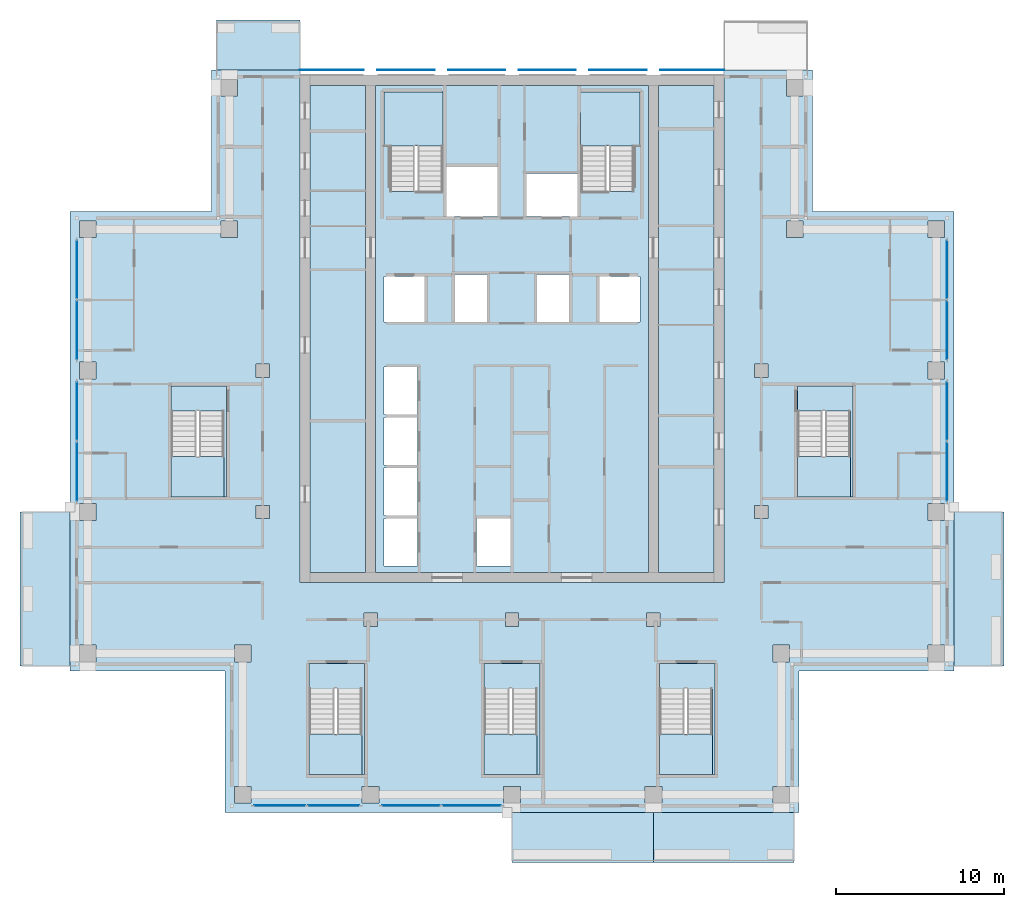
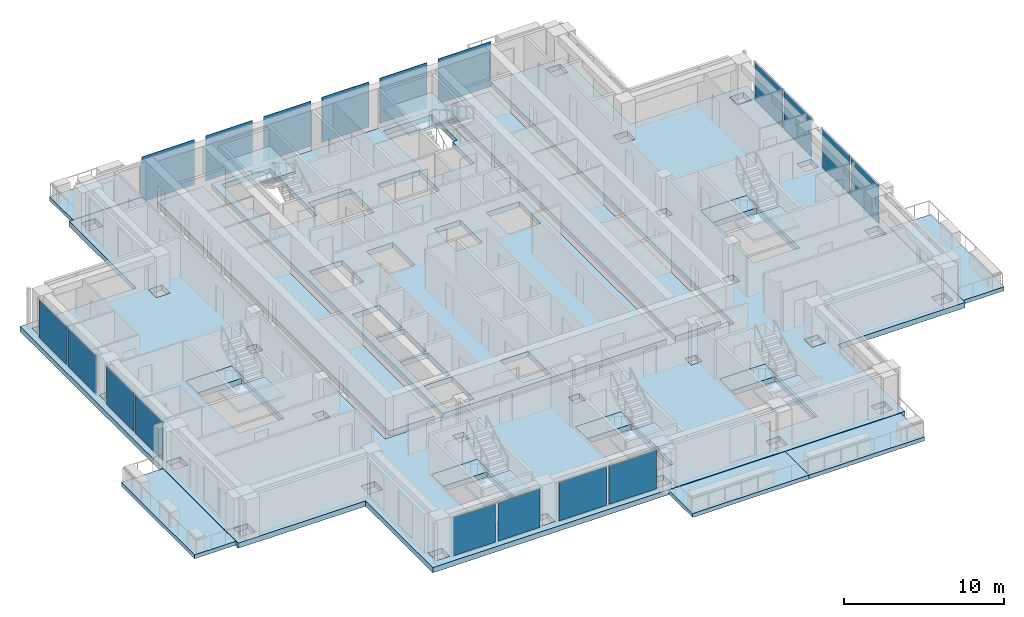
# One storey, part 7 of 17: 21 slabs, 18 plates, 13 elements without a shape of their own.
"""IFC4 building model written with IfcOpenShell, lengths in metres."""

from ifc_helpers import new_model, si_unit, direction, frame, origin, origin_2d, place, context, subcontext, project, spatial, polyline, rectangle, outline, extrude, material, layer, layer_set, type_object, element, aggregate, save


model = new_model("IFC4")

# Units and contexts
model_context = context("Model", 3, precision=1e-05, world=origin(), true_north=direction((0.0, 1.0)))
body_context = subcontext(model_context, "Body", "Model", "MODEL_VIEW")
ifc_project = project(units=[si_unit("LENGTHUNIT", "METRE"), si_unit("AREAUNIT", "SQUARE_METRE"), si_unit("VOLUMEUNIT", "CUBIC_METRE"), si_unit("PLANEANGLEUNIT", "RADIAN"), si_unit("MASSUNIT", "GRAM", prefix="KILO")], contexts=[model_context])

# Site, building, storey
site_placement = place(None, origin())
site = spatial("IfcSite", under=ifc_project, at=site_placement, CompositionType="ELEMENT")
building_placement = place(site_placement, origin())
building = spatial("IfcBuilding", under=site, at=building_placement, Name="Vermilion Ogive Tower", CompositionType="ELEMENT")
storey_placement = place(building_placement, frame((0.0, 0.0, 189.35009765625)))
storey = spatial("IfcBuildingStorey", under=building, at=storey_placement, Name="L49", CompositionType="ELEMENT", Elevation=189.35009765625)

# Slabs
ifc_material_1 = material(Name="Concrete B40", Category="concrete")
ifc_layer_1 = layer(ifc_material_1, 0.300048828125)
ifc_layer_set_1 = layer_set([ifc_layer_1], Name="Balcony slab")
slab_type_1 = type_object("IfcSlabType", Name="Balcony slab", PredefinedType="FLOOR", material=ifc_layer_set_1)
slab_1_placement = place(storey_placement, frame((0.0, 0.0, -0.340087890625)))
element("IfcSlab", 1, at=slab_1_placement, inside=storey, type_object=slab_type_1, Name="Balcony slab S03", PredefinedType="FLOOR", context=body_context, shape_type="SweptSolid", body=[
    extrude(outline(polyline([(0.0, -25.030029296875), (8.39990234375, -25.030029296875), (8.39990234375, -22.050048828125), (0.0, -22.050048828125), (0.0, -25.030029296875)])), origin(), (0.0, 0.0, 1.0), 0.300048828125),
])
slab_2_placement = place(storey_placement, frame((0.0, 0.0, -0.340087890625)))
element("IfcSlab", 2, at=slab_2_placement, inside=storey, type_object=slab_type_1, Name="Balcony slab S04", PredefinedType="FLOOR", context=body_context, shape_type="SweptSolid", body=[
    extrude(outline(polyline([(8.39990234375, -25.030029296875), (16.75, -25.030029296875), (16.75, -22.050048828125), (8.39990234375, -22.050048828125), (8.39990234375, -25.030029296875)])), origin(), (0.0, 0.0, 1.0), 0.300048828125),
])
slab_3_placement = place(storey_placement, frame((0.0, 0.0, -0.340087890625)))
element("IfcSlab", 3, at=slab_3_placement, inside=storey, type_object=slab_type_1, Name="Balcony slab E01", PredefinedType="FLOOR", context=body_context, shape_type="SweptSolid", body=[
    extrude(outline(polyline([(29.22998046875, -13.35009765625), (29.22998046875, -4.199951171875), (26.25, -4.199951171875), (26.25, -13.35009765625), (29.22998046875, -13.35009765625)])), origin(), (0.0, 0.0, 1.0), 0.300048828125),
])
slab_4_placement = place(storey_placement, frame((0.0, 0.0, -0.340087890625)))
element("IfcSlab", 4, at=slab_4_placement, inside=storey, type_object=slab_type_1, Name="Balcony slab N201", PredefinedType="FLOOR", context=body_context, shape_type="SweptSolid", body=[
    extrude(outline(polyline([(-12.60009765625, 25.030029296875), (-17.550048828125, 25.030029296875), (-17.550048828125, 22.050048828125), (-12.60009765625, 22.050048828125), (-12.60009765625, 25.030029296875)])), origin(), (0.0, 0.0, 1.0), 0.300048828125),
])
slab_5_placement = place(storey_placement, frame((0.0, 0.0, -0.340087890625)))
element("IfcSlab", 5, at=slab_5_placement, inside=storey, type_object=slab_type_1, Name="Balcony slab W03", PredefinedType="FLOOR", context=body_context, shape_type="SweptSolid", body=[
    extrude(outline(polyline([(-29.22998046875, -4.199951171875), (-29.22998046875, -13.35009765625), (-26.25, -13.35009765625), (-26.25, -4.199951171875), (-29.22998046875, -4.199951171875)])), origin(), (0.0, 0.0, 1.0), 0.300048828125),
])

# Curtain wall, plates
ifc_material_2 = material(Name="Low-iron laminated glazing in aluminium frame", Category="aluminium")
curtain_wall_type = type_object("IfcCurtainWallType", Name="Curtain wall CW7", PredefinedType="NOTDEFINED", material=ifc_material_2)
curtain_wall_1_placement = place(storey_placement, origin())
curtain_wall_1 = element("IfcCurtainWall", 6, at=curtain_wall_1_placement, inside=storey, type_object=curtain_wall_type, Name="Glazed skin S1", PredefinedType="NOTDEFINED")
ifc_material_3 = material(Name="Low-iron laminated glazing in aluminium frame", Category="aluminium")
ifc_layer_2 = layer(ifc_material_3, 0.031982421875)
ifc_layer_set_2 = layer_set([ifc_layer_2], Name="CW7 glazing panel 32")
plate_type_1 = type_object("IfcPlateType", Name="CW7 glazing panel 32", PredefinedType="CURTAIN_PANEL", material=ifc_layer_set_2)
plate_1_placement = place(storey_placement, frame((-13.804931640625, -21.64990234375, 0.06005859375), z_axis=(0.0, 0.0, 1.0), x_axis=(1.0, 0.0, 0.0)))
plate_1 = element("IfcPlate", 7, at=plate_1_placement, type_object=plate_type_1, Name="CW7-S1 panel 1.1", PredefinedType="CURTAIN_PANEL", context=body_context, shape_type="SweptSolid", body=[
    extrude(rectangle(XDim=3.030029296875, YDim=0.031982421875, at=origin_2d()), origin(), (0.0, 0.0, 1.0), 2.929931640625),
])
plate_2_placement = place(storey_placement, frame((-10.594970703125, -21.64990234375, 0.06005859375), z_axis=(0.0, 0.0, 1.0), x_axis=(1.0, 0.0, 0.0)))
plate_2 = element("IfcPlate", 8, at=plate_2_placement, type_object=plate_type_1, Name="CW7-S1 panel 2.1", PredefinedType="CURTAIN_PANEL", context=body_context, shape_type="SweptSolid", body=[
    extrude(rectangle(XDim=3.030029296875, YDim=0.031982421875, at=origin_2d()), origin(), (0.0, 0.0, 1.0), 2.929931640625),
])
aggregate(curtain_wall_1, [plate_1, plate_2])

curtain_wall_2_placement = place(storey_placement, origin())
curtain_wall_2 = element("IfcCurtainWall", 9, at=curtain_wall_2_placement, inside=storey, type_object=curtain_wall_type, Name="Glazed skin S2", PredefinedType="NOTDEFINED")
plate_3_placement = place(storey_placement, frame((-6.0048828125, -21.64990234375, 0.06005859375), z_axis=(0.0, 0.0, 1.0), x_axis=(1.0, 0.0, 0.0)))
plate_3 = element("IfcPlate", 10, at=plate_3_placement, type_object=plate_type_1, Name="CW7-S2 panel 1.1", PredefinedType="CURTAIN_PANEL", context=body_context, shape_type="SweptSolid", body=[
    extrude(rectangle(XDim=3.429931640625, YDim=0.031982421875, at=origin_2d()), origin(), (0.0, 0.0, 1.0), 2.929931640625),
])
plate_4_placement = place(storey_placement, frame((-2.39501953125, -21.64990234375, 0.06005859375), z_axis=(0.0, 0.0, 1.0), x_axis=(1.0, 0.0, 0.0)))
plate_4 = element("IfcPlate", 11, at=plate_4_placement, type_object=plate_type_1, Name="CW7-S2 panel 2.1", PredefinedType="CURTAIN_PANEL", context=body_context, shape_type="SweptSolid", body=[
    extrude(rectangle(XDim=3.429931640625, YDim=0.031982421875, at=origin_2d()), origin(), (0.0, 0.0, 1.0), 2.929931640625),
])
aggregate(curtain_wall_2, [plate_3, plate_4])

curtain_wall_3_placement = place(storey_placement, origin())
curtain_wall_3 = element("IfcCurtainWall", 12, at=curtain_wall_3_placement, inside=storey, type_object=curtain_wall_type, Name="Glazed skin E2", PredefinedType="NOTDEFINED")
plate_5_placement = place(storey_placement, frame((25.85009765625, -1.804931640625, 0.06005859375), z_axis=(0.0, 0.0, 1.0), x_axis=(0.0, 1.0, 0.0)))
plate_5 = element("IfcPlate", 13, at=plate_5_placement, type_object=plate_type_1, Name="CW7-E2 panel 1.1", PredefinedType="CURTAIN_PANEL", context=body_context, shape_type="SweptSolid", body=[
    extrude(rectangle(XDim=3.429931640625, YDim=0.031982421875, at=origin_2d()), origin(), (0.0, 0.0, 1.0), 2.929931640625),
])
plate_6_placement = place(storey_placement, frame((25.85009765625, 1.804931640625, 0.06005859375), z_axis=(0.0, 0.0, 1.0), x_axis=(0.0, 1.0, 0.0)))
plate_6 = element("IfcPlate", 14, at=plate_6_placement, type_object=plate_type_1, Name="CW7-E2 panel 2.1", PredefinedType="CURTAIN_PANEL", context=body_context, shape_type="SweptSolid", body=[
    extrude(rectangle(XDim=3.429931640625, YDim=0.031982421875, at=origin_2d()), origin(), (0.0, 0.0, 1.0), 2.929931640625),
])
aggregate(curtain_wall_3, [plate_5, plate_6])

curtain_wall_4_placement = place(storey_placement, origin())
curtain_wall_4 = element("IfcCurtainWall", 15, at=curtain_wall_4_placement, inside=storey, type_object=curtain_wall_type, Name="Glazed skin E3", PredefinedType="NOTDEFINED")
plate_7_placement = place(storey_placement, frame((25.85009765625, 6.594970703125, 0.06005859375), z_axis=(0.0, 0.0, 1.0), x_axis=(0.0, 1.0, 0.0)))
plate_7 = element("IfcPlate", 16, at=plate_7_placement, type_object=plate_type_1, Name="CW7-E3 panel 1.1", PredefinedType="CURTAIN_PANEL", context=body_context, shape_type="SweptSolid", body=[
    extrude(rectangle(XDim=3.429931640625, YDim=0.031982421875, at=origin_2d()), origin(), (0.0, 0.0, 1.0), 2.929931640625),
])
plate_8_placement = place(storey_placement, frame((25.85009765625, 10.205078125, 0.06005859375), z_axis=(0.0, 0.0, 1.0), x_axis=(0.0, 1.0, 0.0)))
plate_8 = element("IfcPlate", 17, at=plate_8_placement, type_object=plate_type_1, Name="CW7-E3 panel 2.1", PredefinedType="CURTAIN_PANEL", context=body_context, shape_type="SweptSolid", body=[
    extrude(rectangle(XDim=3.429931640625, YDim=0.031982421875, at=origin_2d()), origin(), (0.0, 0.0, 1.0), 2.929931640625),
])
aggregate(curtain_wall_4, [plate_7, plate_8])

curtain_wall_5_placement = place(storey_placement, origin())
curtain_wall_5 = element("IfcCurtainWall", 18, at=curtain_wall_5_placement, inside=storey, type_object=curtain_wall_type, Name="Glazed skin W1", PredefinedType="NOTDEFINED")
plate_9_placement = place(storey_placement, frame((-25.85009765625, 10.205078125, 0.06005859375), z_axis=(0.0, 0.0, 1.0), x_axis=(0.0, -1.0, 0.0)))
plate_9 = element("IfcPlate", 19, at=plate_9_placement, type_object=plate_type_1, Name="CW7-W1 panel 1.1", PredefinedType="CURTAIN_PANEL", context=body_context, shape_type="SweptSolid", body=[
    extrude(rectangle(XDim=3.429931640625, YDim=0.031982421875, at=origin_2d()), origin(), (0.0, 0.0, 1.0), 2.929931640625),
])
plate_10_placement = place(storey_placement, frame((-25.85009765625, 6.594970703125, 0.06005859375), z_axis=(0.0, 0.0, 1.0), x_axis=(0.0, -1.0, 0.0)))
plate_10 = element("IfcPlate", 20, at=plate_10_placement, type_object=plate_type_1, Name="CW7-W1 panel 2.1", PredefinedType="CURTAIN_PANEL", context=body_context, shape_type="SweptSolid", body=[
    extrude(rectangle(XDim=3.429931640625, YDim=0.031982421875, at=origin_2d()), origin(), (0.0, 0.0, 1.0), 2.929931640625),
])
aggregate(curtain_wall_5, [plate_9, plate_10])

curtain_wall_6_placement = place(storey_placement, origin())
curtain_wall_6 = element("IfcCurtainWall", 21, at=curtain_wall_6_placement, inside=storey, type_object=curtain_wall_type, Name="Glazed skin W2", PredefinedType="NOTDEFINED")
plate_11_placement = place(storey_placement, frame((-25.85009765625, 1.804931640625, 0.06005859375), z_axis=(0.0, 0.0, 1.0), x_axis=(0.0, -1.0, 0.0)))
plate_11 = element("IfcPlate", 22, at=plate_11_placement, type_object=plate_type_1, Name="CW7-W2 panel 1.1", PredefinedType="CURTAIN_PANEL", context=body_context, shape_type="SweptSolid", body=[
    extrude(rectangle(XDim=3.429931640625, YDim=0.031982421875, at=origin_2d()), origin(), (0.0, 0.0, 1.0), 2.929931640625),
])
plate_12_placement = place(storey_placement, frame((-25.85009765625, -1.804931640625, 0.06005859375), z_axis=(0.0, 0.0, 1.0), x_axis=(0.0, -1.0, 0.0)))
plate_12 = element("IfcPlate", 23, at=plate_12_placement, type_object=plate_type_1, Name="CW7-W2 panel 2.1", PredefinedType="CURTAIN_PANEL", context=body_context, shape_type="SweptSolid", body=[
    extrude(rectangle(XDim=3.429931640625, YDim=0.031982421875, at=origin_2d()), origin(), (0.0, 0.0, 1.0), 2.929931640625),
])
aggregate(curtain_wall_6, [plate_11, plate_12])

# Slabs
ifc_material_4 = material(Name="Concrete B40", Category="concrete")
ifc_layer_3 = layer(ifc_material_4, 0.39990234375)
ifc_layer_set_3 = layer_set([ifc_layer_3], Name="Core floor slab 400 B40")
slab_type_2 = type_object("IfcSlabType", Name="Core floor slab 400 B40", PredefinedType="FLOOR", material=ifc_layer_set_3)
slab_6_placement = place(storey_placement, frame((0.0, 0.0, -0.400146484375)))
element("IfcSlab", 24, at=slab_6_placement, inside=storey, type_object=slab_type_2, Name="L49-CK-FS1", PredefinedType="FLOOR", context=body_context, shape_type="SweptSolid", body=[
    extrude(outline(polyline([(-11.99609375, 21.14599609375), (-8.7041015625, 21.14599609375), (-8.7041015625, -7.7958984375), (-11.99609375, -7.7958984375), (-11.99609375, 21.14599609375)])), origin(), (0.0, 0.0, 1.0), 0.400146484375),
])
slab_7_placement = place(storey_placement, frame((0.0, 0.0, -0.400146484375)))
element("IfcSlab", 25, at=slab_7_placement, inside=storey, type_object=slab_type_2, Name="L49-CK-FS2", PredefinedType="FLOOR", context=body_context, shape_type="SweptSolid", body=[
    extrude(outline(polyline([(-8.095947265625, -7.7958984375), (8.095947265625, -7.7958984375), (8.095947265625, 21.14599609375), (-8.095947265625, 21.14599609375), (-8.095947265625, -7.7958984375)]), holes=[polyline([(-7.60009765625, -7.39990234375), (-7.60009765625, -4.60009765625), (-5.60009765625, -4.60009765625), (-5.60009765625, -7.39990234375), (-7.60009765625, -7.39990234375)]), polyline([(-7.60009765625, -4.39990234375), (-7.60009765625, -1.60009765625), (-5.60009765625, -1.60009765625), (-5.60009765625, -4.39990234375), (-7.60009765625, -4.39990234375)]), polyline([(-7.60009765625, -1.39990234375), (-7.60009765625, 1.39990234375), (-5.60009765625, 1.39990234375), (-5.60009765625, -1.39990234375), (-7.60009765625, -1.39990234375)]), polyline([(-7.60009765625, 1.60009765625), (-7.60009765625, 4.39990234375), (-5.60009765625, 4.39990234375), (-5.60009765625, 1.60009765625), (-7.60009765625, 1.60009765625)]), polyline([(-7.60009765625, 7.10009765625), (-7.60009765625, 9.800048828125), (-5.199951171875, 9.800048828125), (-5.199951171875, 7.10009765625), (-7.60009765625, 7.10009765625)]), polyline([(-3.39990234375, 9.89990234375), (-1.5, 9.89990234375), (-1.5, 7.10009765625), (-3.39990234375, 7.10009765625), (-3.39990234375, 9.89990234375)]), polyline([(-7.60009765625, 17.550048828125), (-7.60009765625, 20.75), (-4.10009765625, 20.75), (-4.10009765625, 14.85205078125), (-5.60009765625, 14.85205078125), (-5.60009765625, 14.85009765625), (-5.75, 14.85009765625), (-5.75, 14.85205078125), (-7.25, 14.85205078125), (-7.25, 17.550048828125), (-7.60009765625, 17.550048828125)]), polyline([(-2.10009765625, -7.39990234375), (-2.10009765625, -4.60009765625), (-0.10009765625, -4.60009765625), (-0.10009765625, -7.39990234375), (-2.10009765625, -7.39990234375)]), polyline([(5.199951171875, 7.10009765625), (5.199951171875, 9.800048828125), (7.60009765625, 9.800048828125), (7.60009765625, 7.10009765625), (5.199951171875, 7.10009765625)]), polyline([(1.5, 7.10009765625), (1.5, 9.89990234375), (3.39990234375, 9.89990234375), (3.39990234375, 7.10009765625), (1.5, 7.10009765625)]), polyline([(0.85009765625, 13.35009765625), (0.85009765625, 15.89990234375), (3.89990234375, 15.89990234375), (3.89990234375, 13.35009765625), (0.85009765625, 13.35009765625)]), polyline([(-3.89990234375, 16.300048828125), (-0.85009765625, 16.300048828125), (-0.85009765625, 13.35009765625), (-3.89990234375, 13.35009765625), (-3.89990234375, 16.300048828125)]), polyline([(5.75, 14.85009765625), (5.60009765625, 14.85009765625), (5.60009765625, 14.85205078125), (4.10009765625, 14.85205078125), (4.10009765625, 17.550048828125), (4.074951171875, 17.550048828125), (4.074951171875, 20.75), (7.60009765625, 20.75), (7.60009765625, 17.550048828125), (7.25, 17.550048828125), (7.25, 14.85205078125), (5.75, 14.85205078125), (5.75, 14.85009765625)])]), origin(), (0.0, 0.0, 1.0), 0.400146484375),
])
slab_8_placement = place(storey_placement, frame((0.0, 0.0, -0.400146484375)))
element("IfcSlab", 26, at=slab_8_placement, inside=storey, type_object=slab_type_2, Name="L49-CK-FS3", PredefinedType="FLOOR", context=body_context, shape_type="SweptSolid", body=[
    extrude(outline(polyline([(11.99609375, 21.14599609375), (11.99609375, -7.7958984375), (8.7041015625, -7.7958984375), (8.7041015625, 21.14599609375), (11.99609375, 21.14599609375)])), origin(), (0.0, 0.0, 1.0), 0.400146484375),
])
slab_9_placement = place(storey_placement, frame((0.0, 0.0, -0.400146484375)))
element("IfcSlab", 27, at=slab_9_placement, inside=storey, type_object=slab_type_2, Name="L49-SF-ST3-1", PredefinedType="FLOOR", context=body_context, shape_type="SweptSolid", body=[
    extrude(outline(polyline([(-12.050048828125, -13.199951171875), (-12.050048828125, -14.701904296875), (-10.550048828125, -14.701904296875), (-10.550048828125, -14.699951171875), (-10.39990234375, -14.699951171875), (-10.39990234375, -14.701904296875), (-8.89990234375, -14.701904296875), (-8.89990234375, -19.800048828125), (-8.75, -19.800048828125), (-8.75, -13.199951171875), (-12.050048828125, -13.199951171875)])), origin(), (0.0, 0.0, 1.0), 0.400146484375),
])
slab_10_placement = place(storey_placement, frame((0.0, 0.0, -0.400146484375)))
element("IfcSlab", 28, at=slab_10_placement, inside=storey, type_object=slab_type_2, Name="L49-SF-ST4-1", PredefinedType="FLOOR", context=body_context, shape_type="SweptSolid", body=[
    extrude(outline(polyline([(-1.64990234375, -13.199951171875), (-1.64990234375, -14.701904296875), (-0.14990234375, -14.701904296875), (-0.14990234375, -14.699951171875), (0.0, -14.699951171875), (0.0, -14.701904296875), (1.5, -14.701904296875), (1.5, -19.800048828125), (1.64990234375, -19.800048828125), (1.64990234375, -13.199951171875), (-1.64990234375, -13.199951171875)])), origin(), (0.0, 0.0, 1.0), 0.400146484375),
])
slab_11_placement = place(storey_placement, frame((0.0, 0.0, -0.400146484375)))
element("IfcSlab", 29, at=slab_11_placement, inside=storey, type_object=slab_type_2, Name="L49-SF-ST5-1", PredefinedType="FLOOR", context=body_context, shape_type="SweptSolid", body=[
    extrude(outline(polyline([(8.75, -13.199951171875), (8.75, -14.701904296875), (10.25, -14.701904296875), (10.25, -14.699951171875), (10.39990234375, -14.699951171875), (10.39990234375, -14.701904296875), (11.89990234375, -14.701904296875), (11.89990234375, -19.800048828125), (12.050048828125, -19.800048828125), (12.050048828125, -13.199951171875), (8.75, -13.199951171875)])), origin(), (0.0, 0.0, 1.0), 0.400146484375),
])
slab_12_placement = place(storey_placement, frame((0.0, 0.0, -0.400146484375)))
element("IfcSlab", 30, at=slab_12_placement, inside=storey, type_object=slab_type_2, Name="L49-SF-ST8-1", PredefinedType="FLOOR", context=body_context, shape_type="SweptSolid", body=[
    extrude(outline(polyline([(16.949951171875, 3.300048828125), (16.949951171875, 1.798095703125), (18.449951171875, 1.798095703125), (18.449951171875, 1.800048828125), (18.60009765625, 1.800048828125), (18.60009765625, 1.798095703125), (20.10009765625, 1.798095703125), (20.10009765625, -3.300048828125), (20.25, -3.300048828125), (20.25, 3.300048828125), (16.949951171875, 3.300048828125)])), origin(), (0.0, 0.0, 1.0), 0.400146484375),
])
slab_13_placement = place(storey_placement, frame((0.0, 0.0, -0.400146484375)))
element("IfcSlab", 31, at=slab_13_placement, inside=storey, type_object=slab_type_2, Name="L49-SF-ST9-1", PredefinedType="FLOOR", context=body_context, shape_type="SweptSolid", body=[
    extrude(outline(polyline([(-20.25, 3.300048828125), (-20.25, 1.798095703125), (-18.75, 1.798095703125), (-18.75, 1.800048828125), (-18.60009765625, 1.800048828125), (-18.60009765625, 1.798095703125), (-17.10009765625, 1.798095703125), (-17.10009765625, -3.300048828125), (-16.949951171875, -3.300048828125), (-16.949951171875, 3.300048828125), (-20.25, 3.300048828125)])), origin(), (0.0, 0.0, 1.0), 0.400146484375),
])

# Plates
ifc_material_5 = material(Name="Low-iron laminated glazing in aluminium frame", Category="aluminium")
ifc_layer_4 = layer(ifc_material_5, 0.031982421875)
ifc_layer_set_4 = layer_set([ifc_layer_4], Name="Glazed rainscreen sheet 32")
plate_type_2 = type_object("IfcPlateType", Name="Glazed rainscreen sheet 32", PredefinedType="SHEET", material=ifc_layer_set_4)
plate_13_placement = place(storey_placement, frame((-10.7099609375, 22.06591796875, -0.39990234375), z_axis=(0.0, 0.0, 1.0), x_axis=(1.0, 0.0, 0.0)))
element("IfcPlate", 32, at=plate_13_placement, inside=storey, type_object=plate_type_2, Name="Glazed rainscreen sheet N1", PredefinedType="SHEET", context=body_context, shape_type="SweptSolid", body=[
    extrude(rectangle(XDim=3.820068359375, YDim=0.031982421875, at=origin_2d()), origin(), (0.0, 0.0, 1.0), 3.449951171875),
])
for number, where, z_axis, x_axis, name in (
    (33, (-6.300048828125, 22.06591796875, -0.39990234375), (0.0, 0.0, 1.0), (1.0, 0.0, 0.0), "Glazed rainscreen sheet N2"),
    (34, (-2.10009765625, 22.06591796875, -0.39990234375), (0.0, 0.0, 1.0), (1.0, 0.0, 0.0), "Glazed rainscreen sheet N3"),
    (35, (2.10009765625, 22.06591796875, -0.39990234375), (0.0, 0.0, 1.0), (1.0, 0.0, 0.0), "Glazed rainscreen sheet N4"),
    (36, (6.300048828125, 22.06591796875, -0.39990234375), (0.0, 0.0, 1.0), (1.0, 0.0, 0.0), "Glazed rainscreen sheet N5"),
):
    element("IfcPlate", number, at=place(storey_placement, frame(where, z_axis=z_axis, x_axis=x_axis)), inside=storey, type_object=plate_type_2, Name=name, PredefinedType="SHEET", context=body_context, shape_type="SweptSolid", body=[
        extrude(rectangle(XDim=3.39990234375, YDim=0.031982421875, at=origin_2d()), origin(), (0.0, 0.0, 1.0), 3.449951171875),
    ])
plate_14_placement = place(storey_placement, frame((10.7099609375, 22.06591796875, -0.39990234375), z_axis=(0.0, 0.0, 1.0), x_axis=(1.0, 0.0, 0.0)))
element("IfcPlate", 37, at=plate_14_placement, inside=storey, type_object=plate_type_2, Name="Glazed rainscreen sheet N6", PredefinedType="SHEET", context=body_context, shape_type="SweptSolid", body=[
    extrude(rectangle(XDim=3.820068359375, YDim=0.031982421875, at=origin_2d()), origin(), (0.0, 0.0, 1.0), 3.449951171875),
])

# Slab
ifc_material_6 = material(Name="Concrete B45", Category="concrete")
ifc_layer_5 = layer(ifc_material_6, 0.39990234375)
ifc_layer_set_5 = layer_set([ifc_layer_5], Name="Post-tensioned flat plate 400 B45")
slab_type_3 = type_object("IfcSlabType", Name="Post-tensioned flat plate 400 B45", PredefinedType="FLOOR", material=ifc_layer_set_5)
slab_14_placement = place(storey_placement, frame((0.0, 0.0, -0.400146484375)))
element("IfcSlab", 38, at=slab_14_placement, inside=storey, type_object=slab_type_3, Name="L49-SL-1", PredefinedType="FLOOR", context=body_context, shape_type="SweptSolid", body=[
    extrude(outline(polyline([(-17.050048828125, -13.64990234375), (-26.25, -13.64990234375), (-26.25, 13.64990234375), (-17.85009765625, 13.64990234375), (-17.85009765625, 22.050048828125), (-12.60009765625, 22.050048828125), (-12.60009765625, -8.39990234375), (12.60009765625, -8.39990234375), (12.60009765625, 22.050048828125), (17.85009765625, 22.050048828125), (17.85009765625, 13.64990234375), (26.25, 13.64990234375), (26.25, -13.64990234375), (17.050048828125, -13.64990234375), (17.050048828125, -22.050048828125), (-17.050048828125, -22.050048828125), (-17.050048828125, -13.64990234375)]), holes=[polyline([(25.699951171875, -4.699951171875), (25.699951171875, -3.699951171875), (24.699951171875, -3.699951171875), (24.699951171875, -4.699951171875), (25.699951171875, -4.699951171875)]), polyline([(25.699951171875, -13.10009765625), (25.699951171875, -12.10009765625), (24.699951171875, -12.10009765625), (24.699951171875, -13.10009765625), (25.699951171875, -13.10009765625)]), polyline([(24.699951171875, 12.10009765625), (25.699951171875, 12.10009765625), (25.699951171875, 13.10009765625), (24.699951171875, 13.10009765625), (24.699951171875, 12.10009765625)]), polyline([(24.699951171875, 3.699951171875), (25.699951171875, 3.699951171875), (25.699951171875, 4.699951171875), (24.699951171875, 4.699951171875), (24.699951171875, 3.699951171875)]), polyline([(20.25, -3.300048828125), (20.25, 3.300048828125), (16.949951171875, 3.300048828125), (16.949951171875, -3.300048828125), (20.25, -3.300048828125)]), polyline([(17.300048828125, 12.10009765625), (17.300048828125, 13.10009765625), (16.300048828125, 13.10009765625), (16.300048828125, 12.10009765625), (17.300048828125, 12.10009765625)]), polyline([(16.300048828125, 20.5), (17.300048828125, 20.5), (17.300048828125, 21.5), (16.300048828125, 21.5), (16.300048828125, 20.5)]), polyline([(16.5, -13.10009765625), (16.5, -12.10009765625), (15.5, -12.10009765625), (15.5, -13.10009765625), (16.5, -13.10009765625)]), polyline([(16.5, -21.5), (16.5, -20.5), (15.5, -20.5), (15.5, -21.5), (16.5, -21.5)]), polyline([(15.199951171875, 3.800048828125), (15.199951171875, 4.60009765625), (14.39990234375, 4.60009765625), (14.39990234375, 3.800048828125), (15.199951171875, 3.800048828125)]), polyline([(14.39990234375, -4.60009765625), (15.199951171875, -4.60009765625), (15.199951171875, -3.800048828125), (14.39990234375, -3.800048828125), (14.39990234375, -4.60009765625)]), polyline([(12.050048828125, -19.800048828125), (12.050048828125, -13.199951171875), (8.75, -13.199951171875), (8.75, -19.800048828125), (12.050048828125, -19.800048828125)]), polyline([(8.89990234375, -21.5), (8.89990234375, -20.5), (7.89990234375, -20.5), (7.89990234375, -21.5), (8.89990234375, -21.5)]), polyline([(8.0, -11.0), (8.800048828125, -11.0), (8.800048828125, -10.199951171875), (8.0, -10.199951171875), (8.0, -11.0)]), polyline([(1.64990234375, -19.800048828125), (1.64990234375, -13.199951171875), (-1.64990234375, -13.199951171875), (-1.64990234375, -19.800048828125), (1.64990234375, -19.800048828125)]), polyline([(0.5, -21.5), (0.5, -20.5), (-0.5, -20.5), (-0.5, -21.5), (0.5, -21.5)]), polyline([(0.39990234375, -11.0), (0.39990234375, -10.199951171875), (-0.39990234375, -10.199951171875), (-0.39990234375, -11.0), (0.39990234375, -11.0)]), polyline([(-7.89990234375, -21.5), (-7.89990234375, -20.5), (-8.89990234375, -20.5), (-8.89990234375, -21.5), (-7.89990234375, -21.5)]), polyline([(-8.0, -11.0), (-8.0, -10.199951171875), (-8.800048828125, -10.199951171875), (-8.800048828125, -11.0), (-8.0, -11.0)]), polyline([(-8.75, -19.800048828125), (-8.75, -13.199951171875), (-12.050048828125, -13.199951171875), (-12.050048828125, -19.800048828125), (-8.75, -19.800048828125)]), polyline([(-14.39990234375, 3.800048828125), (-14.39990234375, 4.60009765625), (-15.199951171875, 4.60009765625), (-15.199951171875, 3.800048828125), (-14.39990234375, 3.800048828125)]), polyline([(-15.199951171875, -4.60009765625), (-14.39990234375, -4.60009765625), (-14.39990234375, -3.800048828125), (-15.199951171875, -3.800048828125), (-15.199951171875, -4.60009765625)]), polyline([(-15.5, -13.10009765625), (-15.5, -12.10009765625), (-16.5, -12.10009765625), (-16.5, -13.10009765625), (-15.5, -13.10009765625)]), polyline([(-15.5, -21.5), (-15.5, -20.5), (-16.5, -20.5), (-16.5, -21.5), (-15.5, -21.5)]), polyline([(-16.300048828125, 12.10009765625), (-16.300048828125, 13.10009765625), (-17.300048828125, 13.10009765625), (-17.300048828125, 12.10009765625), (-16.300048828125, 12.10009765625)]), polyline([(-17.300048828125, 20.5), (-16.300048828125, 20.5), (-16.300048828125, 21.5), (-17.300048828125, 21.5), (-17.300048828125, 20.5)]), polyline([(-16.949951171875, -3.300048828125), (-16.949951171875, 3.300048828125), (-20.25, 3.300048828125), (-20.25, -3.300048828125), (-16.949951171875, -3.300048828125)]), polyline([(-25.699951171875, 3.699951171875), (-24.699951171875, 3.699951171875), (-24.699951171875, 4.699951171875), (-25.699951171875, 4.699951171875), (-25.699951171875, 3.699951171875)]), polyline([(-24.699951171875, 12.10009765625), (-24.699951171875, 13.10009765625), (-25.699951171875, 13.10009765625), (-25.699951171875, 12.10009765625), (-24.699951171875, 12.10009765625)]), polyline([(-24.699951171875, -4.699951171875), (-24.699951171875, -3.699951171875), (-25.699951171875, -3.699951171875), (-25.699951171875, -4.699951171875), (-24.699951171875, -4.699951171875)]), polyline([(-24.699951171875, -13.10009765625), (-24.699951171875, -12.10009765625), (-25.699951171875, -12.10009765625), (-25.699951171875, -13.10009765625), (-24.699951171875, -13.10009765625)])]), origin(), (0.0, 0.0, 1.0), 0.400146484375),
])

# Stair, slab
ifc_material_7 = material(Name="Concrete B40", Category="concrete")
stair_type = type_object("IfcStairType", Name="Exit stair 1500", PredefinedType="HALF_TURN_STAIR", material=ifc_material_7)
stair_1_placement = place(storey_placement, origin())
stair_1 = element("IfcStair", 39, at=stair_1_placement, inside=storey, type_object=stair_type, Name="L49 Exit Stair ST1", PredefinedType="HALF_TURN_STAIR")
ifc_material_8 = material(Name="Concrete B40", Category="concrete")
ifc_layer_6 = layer(ifc_material_8, 0.199951171875)
ifc_layer_set_6 = layer_set([ifc_layer_6], Name="Stair landing 200")
slab_type_4 = type_object("IfcSlabType", Name="Stair landing 200", PredefinedType="LANDING", material=ifc_layer_set_6)
slab_15_placement = place(storey_placement, frame((0.0, 0.0, 1.52490234375)))
slab_15 = element("IfcSlab", 40, at=slab_15_placement, type_object=slab_type_4, Name="ST1 landing 1", PredefinedType="LANDING", context=body_context, shape_type="SweptSolid", body=[
    extrude(outline(polyline([(-7.60009765625, 17.550048828125), (-7.25, 17.550048828125), (-7.25, 17.548095703125), (-5.75, 17.548095703125), (-5.75, 17.550048828125), (-5.60009765625, 17.550048828125), (-5.60009765625, 17.548095703125), (-4.10009765625, 17.548095703125), (-4.10009765625, 20.75), (-7.60009765625, 20.75), (-7.60009765625, 17.550048828125)])), origin(), (0.0, 0.0, 1.0), 0.199951171875),
])
aggregate(stair_1, [slab_15])

stair_2_placement = place(storey_placement, origin())
stair_2 = element("IfcStair", 41, at=stair_2_placement, inside=storey, type_object=stair_type, Name="L49 Exit Stair ST2", PredefinedType="HALF_TURN_STAIR")
slab_16_placement = place(storey_placement, frame((0.0, 0.0, 1.52490234375)))
slab_16 = element("IfcSlab", 42, at=slab_16_placement, type_object=slab_type_4, Name="ST2 landing 1", PredefinedType="LANDING", context=body_context, shape_type="SweptSolid", body=[
    extrude(outline(polyline([(5.60009765625, 17.550048828125), (5.75, 17.550048828125), (5.75, 17.548095703125), (7.25, 17.548095703125), (7.25, 17.550048828125), (7.60009765625, 17.550048828125), (7.60009765625, 20.75), (4.074951171875, 20.75), (4.074951171875, 17.550048828125), (4.10009765625, 17.550048828125), (4.10009765625, 17.548095703125), (5.60009765625, 17.548095703125), (5.60009765625, 17.550048828125)])), origin(), (0.0, 0.0, 1.0), 0.199951171875),
])
aggregate(stair_2, [slab_16])

stair_3_placement = place(storey_placement, origin())
stair_3 = element("IfcStair", 43, at=stair_3_placement, inside=storey, type_object=stair_type, Name="L49 Exit Stair ST3", PredefinedType="HALF_TURN_STAIR")
slab_17_placement = place(storey_placement, frame((0.0, 0.0, 1.52490234375)))
slab_17 = element("IfcSlab", 44, at=slab_17_placement, type_object=slab_type_4, Name="ST3 landing 1", PredefinedType="LANDING", context=body_context, shape_type="SweptSolid", body=[
    extrude(outline(polyline([(-8.75, -17.39990234375), (-8.89990234375, -17.39990234375), (-8.89990234375, -17.39794921875), (-10.39990234375, -17.39794921875), (-10.39990234375, -17.39990234375), (-10.550048828125, -17.39990234375), (-10.550048828125, -17.39794921875), (-12.050048828125, -17.39794921875), (-12.050048828125, -19.800048828125), (-8.75, -19.800048828125), (-8.75, -17.39990234375)])), origin(), (0.0, 0.0, 1.0), 0.199951171875),
])
aggregate(stair_3, [slab_17])

stair_4_placement = place(storey_placement, origin())
stair_4 = element("IfcStair", 45, at=stair_4_placement, inside=storey, type_object=stair_type, Name="L49 Exit Stair ST4", PredefinedType="HALF_TURN_STAIR")
slab_18_placement = place(storey_placement, frame((0.0, 0.0, 1.52490234375)))
slab_18 = element("IfcSlab", 46, at=slab_18_placement, type_object=slab_type_4, Name="ST4 landing 1", PredefinedType="LANDING", context=body_context, shape_type="SweptSolid", body=[
    extrude(outline(polyline([(1.64990234375, -17.39990234375), (1.5, -17.39990234375), (1.5, -17.39794921875), (0.0, -17.39794921875), (0.0, -17.39990234375), (-0.14990234375, -17.39990234375), (-0.14990234375, -17.39794921875), (-1.64990234375, -17.39794921875), (-1.64990234375, -19.7998046875), (1.64990234375, -19.7998046875), (1.64990234375, -17.39990234375)])), origin(), (0.0, 0.0, 1.0), 0.199951171875),
])
aggregate(stair_4, [slab_18])

stair_5_placement = place(storey_placement, origin())
stair_5 = element("IfcStair", 47, at=stair_5_placement, inside=storey, type_object=stair_type, Name="L49 Exit Stair ST5", PredefinedType="HALF_TURN_STAIR")
slab_19_placement = place(storey_placement, frame((0.0, 0.0, 1.52490234375)))
slab_19 = element("IfcSlab", 48, at=slab_19_placement, type_object=slab_type_4, Name="ST5 landing 1", PredefinedType="LANDING", context=body_context, shape_type="SweptSolid", body=[
    extrude(outline(polyline([(12.050048828125, -17.39990234375), (11.89990234375, -17.39990234375), (11.89990234375, -17.39794921875), (10.39990234375, -17.39794921875), (10.39990234375, -17.39990234375), (10.25, -17.39990234375), (10.25, -17.39794921875), (8.75, -17.39794921875), (8.75, -19.800048828125), (12.050048828125, -19.800048828125), (12.050048828125, -17.39990234375)])), origin(), (0.0, 0.0, 1.0), 0.199951171875),
])
aggregate(stair_5, [slab_19])

stair_6_placement = place(storey_placement, origin())
stair_6 = element("IfcStair", 49, at=stair_6_placement, inside=storey, type_object=stair_type, Name="L49 Exit Stair ST8", PredefinedType="HALF_TURN_STAIR")
slab_20_placement = place(storey_placement, frame((0.0, 0.0, 1.52490234375)))
slab_20 = element("IfcSlab", 50, at=slab_20_placement, type_object=slab_type_4, Name="ST8 landing 1", PredefinedType="LANDING", context=body_context, shape_type="SweptSolid", body=[
    extrude(outline(polyline([(20.25, -0.89990234375), (20.10009765625, -0.89990234375), (20.10009765625, -0.89794921875), (18.60009765625, -0.89794921875), (18.60009765625, -0.89990234375), (18.449951171875, -0.89990234375), (18.449951171875, -0.89794921875), (16.949951171875, -0.89794921875), (16.949951171875, -0.902099609375), (16.9501953125, -0.902099609375), (16.9501953125, -3.2998046875), (20.25, -3.2998046875), (20.25, -0.89990234375)])), origin(), (0.0, 0.0, 1.0), 0.199951171875),
])
aggregate(stair_6, [slab_20])

stair_7_placement = place(storey_placement, origin())
stair_7 = element("IfcStair", 51, at=stair_7_placement, inside=storey, type_object=stair_type, Name="L49 Exit Stair ST9", PredefinedType="HALF_TURN_STAIR")
slab_21_placement = place(storey_placement, frame((0.0, 0.0, 1.52490234375)))
slab_21 = element("IfcSlab", 52, at=slab_21_placement, type_object=slab_type_4, Name="ST9 landing 1", PredefinedType="LANDING", context=body_context, shape_type="SweptSolid", body=[
    extrude(outline(polyline([(-16.9501953125, -0.89990234375), (-17.10009765625, -0.89990234375), (-17.10009765625, -0.89794921875), (-18.60009765625, -0.89794921875), (-18.60009765625, -0.89990234375), (-18.75, -0.89990234375), (-18.75, -0.89794921875), (-20.25, -0.89794921875), (-20.25, -0.89990234375), (-20.25, -0.89990234375), (-20.25, -3.2998046875), (-16.9501953125, -3.2998046875), (-16.9501953125, -0.89990234375)])), origin(), (0.0, 0.0, 1.0), 0.199951171875),
])
aggregate(stair_7, [slab_21])

save(model, "model.ifc")
